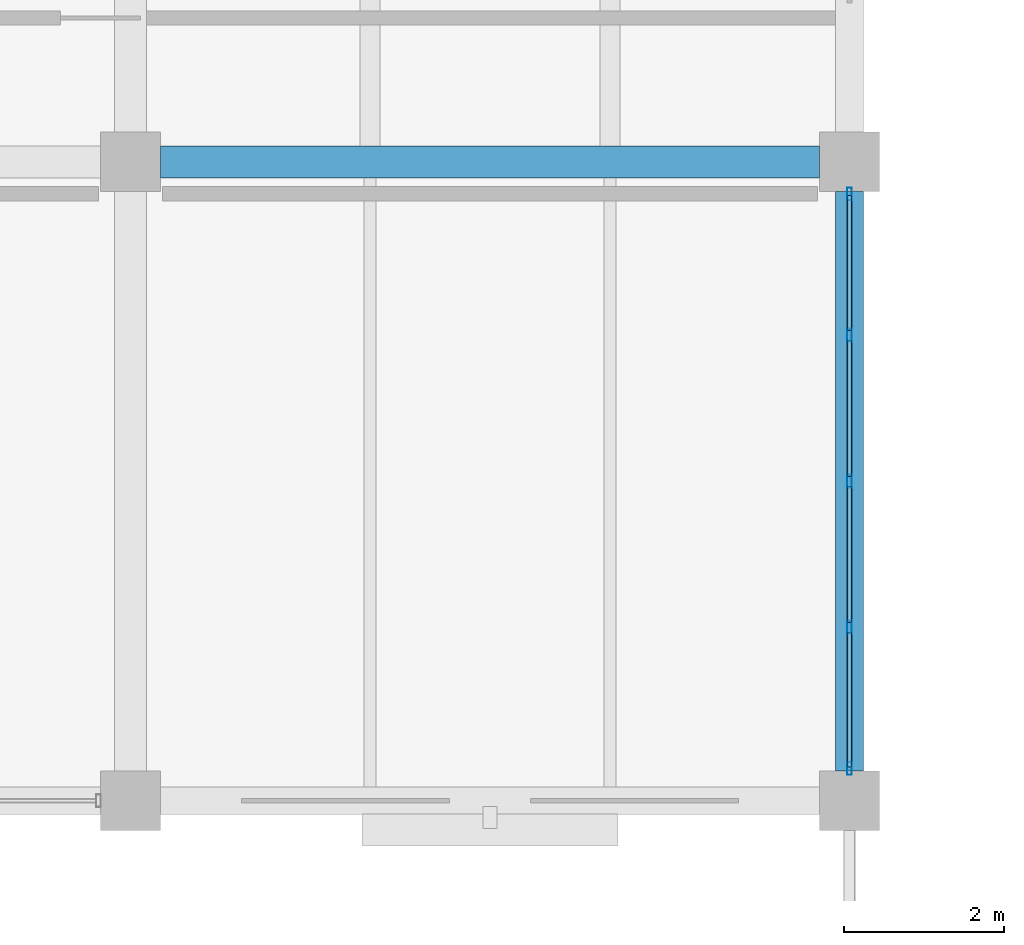
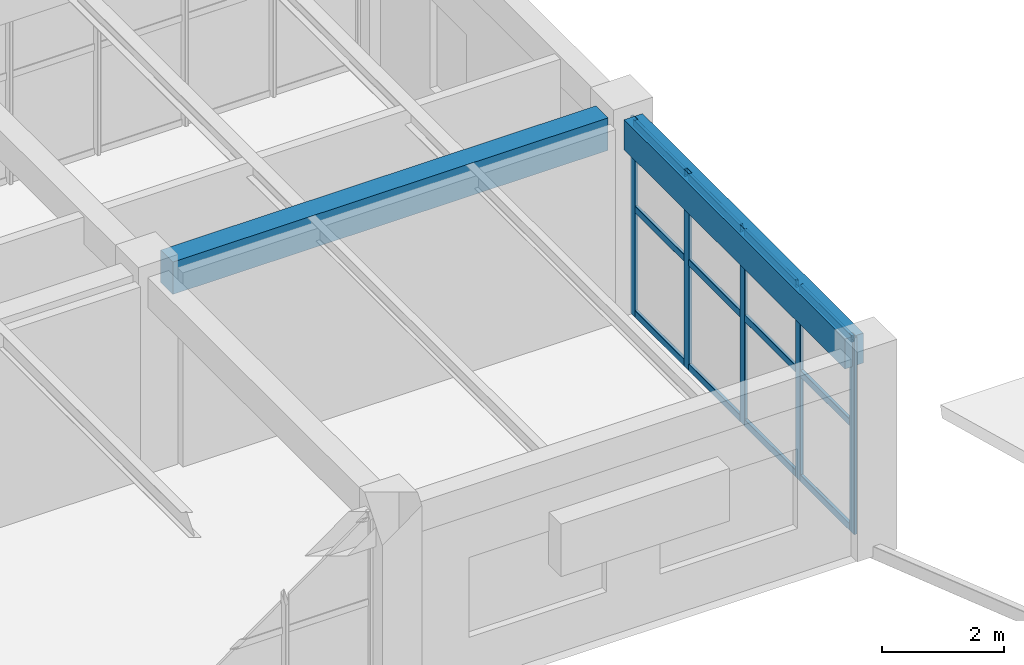
# One storey, part 73 of 148: 17 members, 2 beams, 1 element without a shape of its own.
"""IFC4 building model written with IfcOpenShell, lengths in metres."""

import ifcopenshell
import ifcopenshell.guid

model = None  # the IFC model being written
_history = None  # IfcOwnerHistory: only IFC2X3 demands one
_inside = {}  # id of a spatial element -> (the spatial element, [elements in it])
_under = {}  # id of a project, library or spatial element -> (it, [spatial elements below it])
_declared = {}  # id of a project -> (the project, [libraries it declares])
_typed = {}  # id of a type object -> (the type object, [elements of that type])
_made_of = {}  # id of a material, layer set ... -> (it, [elements and type objects made of it])


def new_model(schema):
    """Start an empty IFC model of exactly this schema.

    Asked for "IFC4X3", IfcOpenShell would pick the latest addendum, in which some entities
    have other attributes; the version numbers below select the first issue.
    IFC2X3 requires an IfcOwnerHistory on every rooted entity: one is made here for all.
    """
    global model, _history
    if schema == "IFC4X3":
        model = ifcopenshell.file(schema_version=(4, 3, 0, 0))
    else:
        model = ifcopenshell.file(schema=schema)
    _inside.clear()
    _under.clear()
    _declared.clear()
    _typed.clear()
    _made_of.clear()
    _history = None
    if model.schema == "IFC2X3":
        org = make("IfcOrganization", Name="unknown")
        user = make(
            "IfcPersonAndOrganization",
            ThePerson=make("IfcPerson", FamilyName="unknown"),
            TheOrganization=org,
        )
        app = make(
            "IfcApplication",
            ApplicationDeveloper=org,
            Version="unknown",
            ApplicationFullName="unknown",
            ApplicationIdentifier="unknown",
        )
        _history = make(
            "IfcOwnerHistory",
            OwningUser=user,
            OwningApplication=app,
            ChangeAction="ADDED",
            CreationDate=0,
        )
    return model


def make(cls, **values):
    """One entity of the class cls with the attributes given. An attribute that is None is left unset."""
    return model.create_entity(
        cls, **{name: value for name, value in values.items() if value is not None}
    )


def rooted(cls, **values):
    """An entity with a GlobalId (a new one), such as an element, a storey or a relation."""
    return make(cls, GlobalId=ifcopenshell.guid.new(), OwnerHistory=_history, **values)


def si_unit(unit_type, name, prefix=None):
    """IfcSIUnit, for example si_unit("LENGTHUNIT", "METRE", prefix="MILLI")."""
    return make("IfcSIUnit", UnitType=unit_type, Prefix=prefix, Name=name)


def derived_unit(unit_type, elements):
    """IfcDerivedUnit: a product of units, each with its exponent."""
    return make(
        "IfcDerivedUnit",
        Elements=[
            make("IfcDerivedUnitElement", Unit=unit, Exponent=power)
            for unit, power in elements
        ],
        UnitType=unit_type,
    )


def assignment(units):
    """IfcUnitAssignment: the units of a project."""
    return None if units is None else make("IfcUnitAssignment", Units=units)


def point(xyz):
    """IfcCartesianPoint."""
    return None if xyz is None else make("IfcCartesianPoint", Coordinates=xyz)


def direction(xyz):
    """IfcDirection."""
    return None if xyz is None else make("IfcDirection", DirectionRatios=xyz)


def frame(location, z_axis=None, x_axis=None):
    """IfcAxis2Placement3D, a coordinate frame: its origin and axes. An axis left out is left unset."""
    return make(
        "IfcAxis2Placement3D",
        Location=point(location),
        Axis=direction(z_axis),
        RefDirection=direction(x_axis),
    )


def frame_2d(location, x_axis=None):
    """IfcAxis2Placement2D, a coordinate frame in the plane: its origin and x axis."""
    return make(
        "IfcAxis2Placement2D", Location=point(location), RefDirection=direction(x_axis)
    )


def origin():
    """The frame at (0, 0, 0) with its axes left unset."""
    return frame((0.0, 0.0, 0.0))


def origin_2d():
    """The frame at (0, 0) in the plane with its x axis left unset."""
    return frame_2d((0.0, 0.0))


def place(relative_to, where):
    """IfcLocalPlacement: puts the frame where relative to a parent placement (None: the world)."""
    return make(
        "IfcLocalPlacement", PlacementRelTo=relative_to, RelativePlacement=where
    )


def context(
    kind, dimensions, precision=None, world=None, true_north=None, identifier=None
):
    """IfcGeometricRepresentationContext, for example the 3D "Model" context."""
    return make(
        "IfcGeometricRepresentationContext",
        ContextIdentifier=identifier,
        ContextType=kind,
        CoordinateSpaceDimension=dimensions,
        Precision=precision,
        WorldCoordinateSystem=world,
        TrueNorth=true_north,
    )


def subcontext(parent, identifier, kind, view, scale=None):
    """IfcGeometricRepresentationSubContext, for example "Body" below "Model"."""
    return make(
        "IfcGeometricRepresentationSubContext",
        ContextIdentifier=identifier,
        ContextType=kind,
        ParentContext=parent,
        TargetScale=scale,
        TargetView=view,
    )


def project(units=None, contexts=None):
    """IfcProject with its units and contexts."""
    return rooted(
        "IfcProject",
        Name="project",
        RepresentationContexts=contexts,
        UnitsInContext=assignment(units),
    )


def spatial(cls, under=None, at=None, **own):
    """A site, building, storey or space (cls), placed at a placement, below another one or the project."""
    s = rooted(cls, ObjectPlacement=at, **own)
    if under is not None:
        _under.setdefault(under.id(), (under, []))[1].append(s)
    return s


def profile(cls, at=None, kind="AREA", **sizes):
    """A parametric profile (cls). Its sizes go by their IFC names, for example OverallWidth=200.0."""
    return make(cls, ProfileType=kind, Position=at, **sizes)


def rectangle(**sizes):
    """IfcRectangleProfileDef."""
    return profile("IfcRectangleProfileDef", **sizes)


def hollow_rectangle(**sizes):
    """IfcRectangleHollowProfileDef."""
    return profile("IfcRectangleHollowProfileDef", **sizes)


def extrude(swept, where, along, depth):
    """IfcExtrudedAreaSolid: the profile swept, set in the frame where, extruded along a direction by depth."""
    return make(
        "IfcExtrudedAreaSolid",
        SweptArea=swept,
        Position=where,
        ExtrudedDirection=direction(along),
        Depth=depth,
    )


def shape(context_of_items, identifier, shape_type, items):
    """IfcShapeRepresentation: the items that make up one representation, for example the "Body"."""
    return make(
        "IfcShapeRepresentation",
        ContextOfItems=context_of_items,
        RepresentationIdentifier=identifier,
        RepresentationType=shape_type,
        Items=items,
    )


def material(Name=None, Category=None):
    """IfcMaterial."""
    return make("IfcMaterial", Name=Name, Category=Category)


def material_profile(
    of_material, cross_section, Name=None, Category=None, Priority=None
):
    """IfcMaterialProfile: a cross section and its material."""
    return make(
        "IfcMaterialProfile",
        Name=Name,
        Material=of_material,
        Profile=cross_section,
        Priority=Priority,
        Category=Category,
    )


def profile_set(profiles, Name=None, composite=None):
    """IfcMaterialProfileSet."""
    return make(
        "IfcMaterialProfileSet",
        Name=Name,
        MaterialProfiles=profiles,
        CompositeProfile=composite,
    )


def made_of(thing, what):
    """Note that an element or type object is made of a material, layer set ...; save() writes the relation."""
    if what is not None:
        _made_of.setdefault(what.id(), (what, []))[1].append(thing)
    return thing


def type_object(cls, material=None, **own):
    """A type object (cls), such as IfcWallType, which elements share."""
    return made_of(rooted(cls, **own), material)


def element(
    cls,
    number,
    at=None,
    inside=None,
    cuts=None,
    type_object=None,
    material=None,
    context=None,
    identifier="Body",
    shape_type=None,
    held_by="IfcProductDefinitionShape",
    body=None,
    shapes=None,
    **own,
):
    """One element of the class cls, such as IfcWall. Its Tag is "e" and its number.

    at: its placement. inside: the storey or other place that contains it. cuts: it is an
    opening in that element (IfcRelVoidsElement). A single representation is given by context,
    identifier, shape_type and body (its items); several are given by shapes. held_by: the class
    of the entity that holds the representations. save() writes the other relations.
    """
    e = rooted(cls, Tag="e%d" % number, ObjectPlacement=at, **own)
    if body is not None:
        shapes = [shape(context, identifier, shape_type, body)]
    if shapes is not None:
        e.Representation = make(held_by, Representations=shapes)
    if inside is not None:
        _inside.setdefault(inside.id(), (inside, []))[1].append(e)
    if cuts is not None:
        rooted(
            "IfcRelVoidsElement", RelatingBuildingElement=cuts, RelatedOpeningElement=e
        )
    if type_object is not None:
        _typed.setdefault(type_object.id(), (type_object, []))[1].append(e)
    return made_of(e, material)


def aggregate(whole, parts):
    """IfcRelAggregates: a whole, such as a stair, and the parts it consists of."""
    return rooted("IfcRelAggregates", RelatingObject=whole, RelatedObjects=parts)


def save(model, path):
    """Write the relations noted so far, then the file.

    IfcRelAggregates (storeys below a building ...), IfcRelContainedInSpatialStructure (elements
    in a storey), IfcRelDefinesByType, IfcRelAssociatesMaterial and IfcRelDeclares: one each for
    every whole, place, type object, material and project.
    """
    for whole, parts in _under.values():
        aggregate(whole, parts)
    for where, things in _inside.values():
        rooted(
            "IfcRelContainedInSpatialStructure",
            RelatedElements=things,
            RelatingStructure=where,
        )
    for kind, things in _typed.values():
        rooted("IfcRelDefinesByType", RelatedObjects=things, RelatingType=kind)
    for what, things in _made_of.values():
        rooted("IfcRelAssociatesMaterial", RelatedObjects=things, RelatingMaterial=what)
    for by, libraries in _declared.values():
        rooted("IfcRelDeclares", RelatingContext=by, RelatedDefinitions=libraries)
    model.write(path)


model = new_model("IFC4")

# Units and contexts
model_context = context("Model", 3, precision=1e-05, world=origin(), true_north=direction((0.0, 1.0)))
body_context = subcontext(model_context, "Body", "Model", "MODEL_VIEW")
ifc_project = project(units=[si_unit("LENGTHUNIT", "METRE"), si_unit("AREAUNIT", "SQUARE_METRE"), si_unit("VOLUMEUNIT", "CUBIC_METRE"), si_unit("PLANEANGLEUNIT", "RADIAN"), si_unit("MASSUNIT", "GRAM", prefix="KILO"), derived_unit("THERMALTRANSMITTANCEUNIT", [(si_unit("MASSUNIT", "GRAM", prefix="KILO"), 1), (si_unit("TIMEUNIT", "SECOND"), -3), (si_unit("THERMODYNAMICTEMPERATUREUNIT", "KELVIN"), -1)])], contexts=[model_context])

# Site, building, storey
site_placement = place(None, origin())
site = spatial("IfcSite", under=ifc_project, at=site_placement, CompositionType="ELEMENT")
building_placement = place(site_placement, origin())
building = spatial("IfcBuilding", under=site, at=building_placement, Name="Zhenchuan Archway Interchange", CompositionType="ELEMENT")
storey_placement = place(building_placement, frame((0.0, 0.0, 10.199951171875)))
storey = spatial("IfcBuildingStorey", under=building, at=storey_placement, Name="L02", CompositionType="ELEMENT", Elevation=10.199951171875)

# Beam
ifc_material_1 = material(Name="Concrete C40", Category="concrete")
ifc_material_profile_1 = material_profile(ifc_material_1, rectangle(XDim=0.39990234375, YDim=0.64990234375, at=origin_2d()), Name="RC 400x650")
ifc_profile_set_1 = profile_set([ifc_material_profile_1], Name="Concrete C40")
beam_type_1 = type_object("IfcBeamType", Name="BM_RC_400x650", PredefinedType="BEAM", material=ifc_profile_set_1)
beam_1_placement = place(storey_placement, frame((45.375, 104.0, 3.614990234375), z_axis=(1.0, 0.0, 0.0), x_axis=(0.0, 1.0, 0.0)))
element("IfcBeam", 1, at=beam_1_placement, inside=storey, type_object=beam_type_1, Name="Beam O:6-7 (L02)", PredefinedType="BEAM", context=body_context, shape_type="SweptSolid", body=[
    extrude(rectangle(XDim=0.39990234375, YDim=0.64990234375, at=origin_2d()), origin(), (0.0, 0.0, 1.0), 8.25),
])

# Curtain wall, members
ifc_material_2 = material(Name="Anodised Aluminium", Category="aluminium")
curtain_wall_type = type_object("IfcCurtainWallType", Name="CW_UNIT_4", PredefinedType="NOTDEFINED", material=ifc_material_2)
curtain_wall_placement = place(storey_placement, origin())
curtain_wall = element("IfcCurtainWall", 2, at=curtain_wall_placement, inside=storey, type_object=curtain_wall_type, Name="Unitised curtain wall CW:L02:143", PredefinedType="NOTDEFINED")
ifc_material_profile_2 = material_profile(ifc_material_2, hollow_rectangle(XDim=0.06005859375, YDim=0.159912109375, WallThickness=0.00390625, InnerFilletRadius=0.00390625, OuterFilletRadius=0.008056640625, at=origin_2d()), Name="ALU 160x60x4")
ifc_profile_set_2 = profile_set([ifc_material_profile_2], Name="Anodised Aluminium")
member_type_1 = type_object("IfcMemberType", Name="CW_MUL_150", PredefinedType="MULLION", material=ifc_profile_set_2)
member_1_placement = place(storey_placement, frame((54.0, 103.596923828125, 0.0), z_axis=(0.0, 0.0, 1.0), x_axis=(1.0, 0.0, 0.0)))
member_1 = element("IfcMember", 3, at=member_1_placement, type_object=member_type_1, Name="CW:L02:143 mullion 0", PredefinedType="MULLION", context=body_context, shape_type="SweptSolid", body=[
    extrude(hollow_rectangle(XDim=0.06005859375, YDim=0.159912109375, WallThickness=0.00390625, InnerFilletRadius=0.00390625, OuterFilletRadius=0.008056640625, at=origin_2d()), origin(), (0.0, 0.0, 1.0), 3.93994140625),
])
member_2_placement = place(storey_placement, frame((54.0, 101.82861328125, 0.0), z_axis=(0.0, 0.0, 1.0), x_axis=(1.0, 0.0, 0.0)))
member_2 = element("IfcMember", 4, at=member_2_placement, type_object=member_type_1, Name="CW:L02:143 mullion 1", PredefinedType="MULLION", context=body_context, shape_type="SweptSolid", body=[
    extrude(hollow_rectangle(XDim=0.06005859375, YDim=0.159912109375, WallThickness=0.00390625, InnerFilletRadius=0.00390625, OuterFilletRadius=0.008056640625, at=origin_2d()), origin(), (0.0, 0.0, 1.0), 3.93994140625),
])
member_3_placement = place(storey_placement, frame((54.0, 100.0, 0.0), z_axis=(0.0, 0.0, 1.0), x_axis=(1.0, 0.0, 0.0)))
member_3 = element("IfcMember", 5, at=member_3_placement, type_object=member_type_1, Name="CW:L02:143 mullion 2", PredefinedType="MULLION", context=body_context, shape_type="SweptSolid", body=[
    extrude(hollow_rectangle(XDim=0.06005859375, YDim=0.159912109375, WallThickness=0.00390625, InnerFilletRadius=0.00390625, OuterFilletRadius=0.008056640625, at=origin_2d()), origin(), (0.0, 0.0, 1.0), 3.93994140625),
])
member_4_placement = place(storey_placement, frame((54.0, 98.17138671875, 0.0), z_axis=(0.0, 0.0, 1.0), x_axis=(1.0, 0.0, 0.0)))
member_4 = element("IfcMember", 6, at=member_4_placement, type_object=member_type_1, Name="CW:L02:143 mullion 3", PredefinedType="MULLION", context=body_context, shape_type="SweptSolid", body=[
    extrude(hollow_rectangle(XDim=0.06005859375, YDim=0.159912109375, WallThickness=0.00390625, InnerFilletRadius=0.00390625, OuterFilletRadius=0.008056640625, at=origin_2d()), origin(), (0.0, 0.0, 1.0), 3.93994140625),
])
member_5_placement = place(storey_placement, frame((54.0, 96.403076171875, 0.0), z_axis=(0.0, 0.0, 1.0), x_axis=(1.0, 0.0, 0.0)))
member_5 = element("IfcMember", 7, at=member_5_placement, type_object=member_type_1, Name="CW:L02:143 mullion 4", PredefinedType="MULLION", context=body_context, shape_type="SweptSolid", body=[
    extrude(hollow_rectangle(XDim=0.06005859375, YDim=0.159912109375, WallThickness=0.00390625, InnerFilletRadius=0.00390625, OuterFilletRadius=0.008056640625, at=origin_2d()), origin(), (0.0, 0.0, 1.0), 3.93994140625),
])
ifc_material_profile_3 = material_profile(ifc_material_2, hollow_rectangle(XDim=0.06005859375, YDim=0.139892578125, WallThickness=0.00341796875, InnerFilletRadius=0.00341796875, OuterFilletRadius=0.007080078125, at=origin_2d()), Name="ALU 140x60x3.5")
ifc_profile_set_3 = profile_set([ifc_material_profile_3], Name="Anodised Aluminium")
member_type_2 = type_object("IfcMemberType", Name="CW_TRN_140", PredefinedType="USERDEFINED", material=ifc_profile_set_3)
member_6_placement = place(storey_placement, frame((54.0, 103.576904296875, 0.06005859375), z_axis=(0.0, -1.0, 0.0), x_axis=(1.0, 0.0, 0.0)))
member_6 = element("IfcMember", 8, at=member_6_placement, type_object=member_type_2, Name="CW:L02:143 transom 0-1", ObjectType="TRANSOM", PredefinedType="USERDEFINED", context=body_context, shape_type="SweptSolid", body=[
    extrude(hollow_rectangle(XDim=0.06005859375, YDim=0.139892578125, WallThickness=0.00341796875, InnerFilletRadius=0.00341796875, OuterFilletRadius=0.007080078125, at=origin_2d()), origin(), (0.0, 0.0, 1.0), 1.6884765625),
])
member_7_placement = place(storey_placement, frame((54.0, 103.576904296875, 2.156005859375), z_axis=(0.0, -1.0, 0.0), x_axis=(1.0, 0.0, 0.0)))
member_7 = element("IfcMember", 9, at=member_7_placement, type_object=member_type_2, Name="CW:L02:143 transom 0-2", ObjectType="TRANSOM", PredefinedType="USERDEFINED", context=body_context, shape_type="SweptSolid", body=[
    extrude(hollow_rectangle(XDim=0.06005859375, YDim=0.139892578125, WallThickness=0.00341796875, InnerFilletRadius=0.00341796875, OuterFilletRadius=0.007080078125, at=origin_2d()), origin(), (0.0, 0.0, 1.0), 1.6884765625),
])
member_8_placement = place(storey_placement, frame((54.0, 103.576904296875, 3.860107421875), z_axis=(0.0, -1.0, 0.0), x_axis=(1.0, 0.0, 0.0)))
member_8 = element("IfcMember", 10, at=member_8_placement, type_object=member_type_2, Name="CW:L02:143 transom 0-3", ObjectType="TRANSOM", PredefinedType="USERDEFINED", context=body_context, shape_type="SweptSolid", body=[
    extrude(hollow_rectangle(XDim=0.06005859375, YDim=0.139892578125, WallThickness=0.00341796875, InnerFilletRadius=0.00341796875, OuterFilletRadius=0.007080078125, at=origin_2d()), origin(), (0.0, 0.0, 1.0), 1.6884765625),
])
member_9_placement = place(storey_placement, frame((54.0, 101.7685546875, 0.06005859375), z_axis=(0.0, -1.0, 0.0), x_axis=(1.0, 0.0, 0.0)))
member_9 = element("IfcMember", 11, at=member_9_placement, type_object=member_type_2, Name="CW:L02:143 transom 1-1", ObjectType="TRANSOM", PredefinedType="USERDEFINED", context=body_context, shape_type="SweptSolid", body=[
    extrude(hollow_rectangle(XDim=0.06005859375, YDim=0.139892578125, WallThickness=0.00341796875, InnerFilletRadius=0.00341796875, OuterFilletRadius=0.007080078125, at=origin_2d()), origin(), (0.0, 0.0, 1.0), 1.70849609375),
])
member_10_placement = place(storey_placement, frame((54.0, 101.7685546875, 2.156005859375), z_axis=(0.0, -1.0, 0.0), x_axis=(1.0, 0.0, 0.0)))
member_10 = element("IfcMember", 12, at=member_10_placement, type_object=member_type_2, Name="CW:L02:143 transom 1-2", ObjectType="TRANSOM", PredefinedType="USERDEFINED", context=body_context, shape_type="SweptSolid", body=[
    extrude(hollow_rectangle(XDim=0.06005859375, YDim=0.139892578125, WallThickness=0.00341796875, InnerFilletRadius=0.00341796875, OuterFilletRadius=0.007080078125, at=origin_2d()), origin(), (0.0, 0.0, 1.0), 1.70849609375),
])
member_11_placement = place(storey_placement, frame((54.0, 101.7685546875, 3.860107421875), z_axis=(0.0, -1.0, 0.0), x_axis=(1.0, 0.0, 0.0)))
member_11 = element("IfcMember", 13, at=member_11_placement, type_object=member_type_2, Name="CW:L02:143 transom 1-3", ObjectType="TRANSOM", PredefinedType="USERDEFINED", context=body_context, shape_type="SweptSolid", body=[
    extrude(hollow_rectangle(XDim=0.06005859375, YDim=0.139892578125, WallThickness=0.00341796875, InnerFilletRadius=0.00341796875, OuterFilletRadius=0.007080078125, at=origin_2d()), origin(), (0.0, 0.0, 1.0), 1.70849609375),
])
member_12_placement = place(storey_placement, frame((54.0, 99.93994140625, 0.06005859375), z_axis=(0.0, -1.0, 0.0), x_axis=(1.0, 0.0, 0.0)))
member_12 = element("IfcMember", 14, at=member_12_placement, type_object=member_type_2, Name="CW:L02:143 transom 2-1", ObjectType="TRANSOM", PredefinedType="USERDEFINED", context=body_context, shape_type="SweptSolid", body=[
    extrude(hollow_rectangle(XDim=0.06005859375, YDim=0.139892578125, WallThickness=0.00341796875, InnerFilletRadius=0.00341796875, OuterFilletRadius=0.007080078125, at=origin_2d()), origin(), (0.0, 0.0, 1.0), 1.70849609375),
])
member_13_placement = place(storey_placement, frame((54.0, 99.93994140625, 2.156005859375), z_axis=(0.0, -1.0, 0.0), x_axis=(1.0, 0.0, 0.0)))
member_13 = element("IfcMember", 15, at=member_13_placement, type_object=member_type_2, Name="CW:L02:143 transom 2-2", ObjectType="TRANSOM", PredefinedType="USERDEFINED", context=body_context, shape_type="SweptSolid", body=[
    extrude(hollow_rectangle(XDim=0.06005859375, YDim=0.139892578125, WallThickness=0.00341796875, InnerFilletRadius=0.00341796875, OuterFilletRadius=0.007080078125, at=origin_2d()), origin(), (0.0, 0.0, 1.0), 1.70849609375),
])
member_14_placement = place(storey_placement, frame((54.0, 99.93994140625, 3.860107421875), z_axis=(0.0, -1.0, 0.0), x_axis=(1.0, 0.0, 0.0)))
member_14 = element("IfcMember", 16, at=member_14_placement, type_object=member_type_2, Name="CW:L02:143 transom 2-3", ObjectType="TRANSOM", PredefinedType="USERDEFINED", context=body_context, shape_type="SweptSolid", body=[
    extrude(hollow_rectangle(XDim=0.06005859375, YDim=0.139892578125, WallThickness=0.00341796875, InnerFilletRadius=0.00341796875, OuterFilletRadius=0.007080078125, at=origin_2d()), origin(), (0.0, 0.0, 1.0), 1.70849609375),
])
member_15_placement = place(storey_placement, frame((54.0, 98.111572265625, 0.06005859375), z_axis=(0.0, -1.0, 0.0), x_axis=(1.0, 0.0, 0.0)))
member_15 = element("IfcMember", 17, at=member_15_placement, type_object=member_type_2, Name="CW:L02:143 transom 3-1", ObjectType="TRANSOM", PredefinedType="USERDEFINED", context=body_context, shape_type="SweptSolid", body=[
    extrude(hollow_rectangle(XDim=0.06005859375, YDim=0.139892578125, WallThickness=0.00341796875, InnerFilletRadius=0.00341796875, OuterFilletRadius=0.007080078125, at=origin_2d()), origin(), (0.0, 0.0, 1.0), 1.6884765625),
])
member_16_placement = place(storey_placement, frame((54.0, 98.111572265625, 2.156005859375), z_axis=(0.0, -1.0, 0.0), x_axis=(1.0, 0.0, 0.0)))
member_16 = element("IfcMember", 18, at=member_16_placement, type_object=member_type_2, Name="CW:L02:143 transom 3-2", ObjectType="TRANSOM", PredefinedType="USERDEFINED", context=body_context, shape_type="SweptSolid", body=[
    extrude(hollow_rectangle(XDim=0.06005859375, YDim=0.139892578125, WallThickness=0.00341796875, InnerFilletRadius=0.00341796875, OuterFilletRadius=0.007080078125, at=origin_2d()), origin(), (0.0, 0.0, 1.0), 1.6884765625),
])
member_17_placement = place(storey_placement, frame((54.0, 98.111572265625, 3.860107421875), z_axis=(0.0, -1.0, 0.0), x_axis=(1.0, 0.0, 0.0)))
member_17 = element("IfcMember", 19, at=member_17_placement, type_object=member_type_2, Name="CW:L02:143 transom 3-3", ObjectType="TRANSOM", PredefinedType="USERDEFINED", context=body_context, shape_type="SweptSolid", body=[
    extrude(hollow_rectangle(XDim=0.06005859375, YDim=0.139892578125, WallThickness=0.00341796875, InnerFilletRadius=0.00341796875, OuterFilletRadius=0.007080078125, at=origin_2d()), origin(), (0.0, 0.0, 1.0), 1.6884765625),
])
aggregate(curtain_wall, [member_1, member_2, member_3, member_4, member_5, member_6, member_7, member_8, member_9, member_10, member_11, member_12, member_13, member_14, member_15, member_16, member_17])

# Beam
ifc_material_profile_4 = material_profile(ifc_material_1, rectangle(XDim=0.35009765625, YDim=0.60009765625, at=origin_2d()), Name="RC 350x600")
ifc_profile_set_4 = profile_set([ifc_material_profile_4], Name="Concrete C40")
beam_type_2 = type_object("IfcBeamType", Name="SP_RC_350x600", PredefinedType="SPANDREL", material=ifc_profile_set_4)
beam_2_placement = place(storey_placement, frame((54.0, 96.375, 3.64013671875), z_axis=(0.0, 1.0, 0.0), x_axis=(-1.0, 0.0, 0.0)))
element("IfcBeam", 20, at=beam_2_placement, inside=storey, type_object=beam_type_2, Name="Beam 7:N-O (L02)", PredefinedType="SPANDREL", context=body_context, shape_type="SweptSolid", body=[
    extrude(rectangle(XDim=0.35009765625, YDim=0.60009765625, at=origin_2d()), origin(), (0.0, 0.0, 1.0), 7.25),
])

save(model, "model.ifc")
